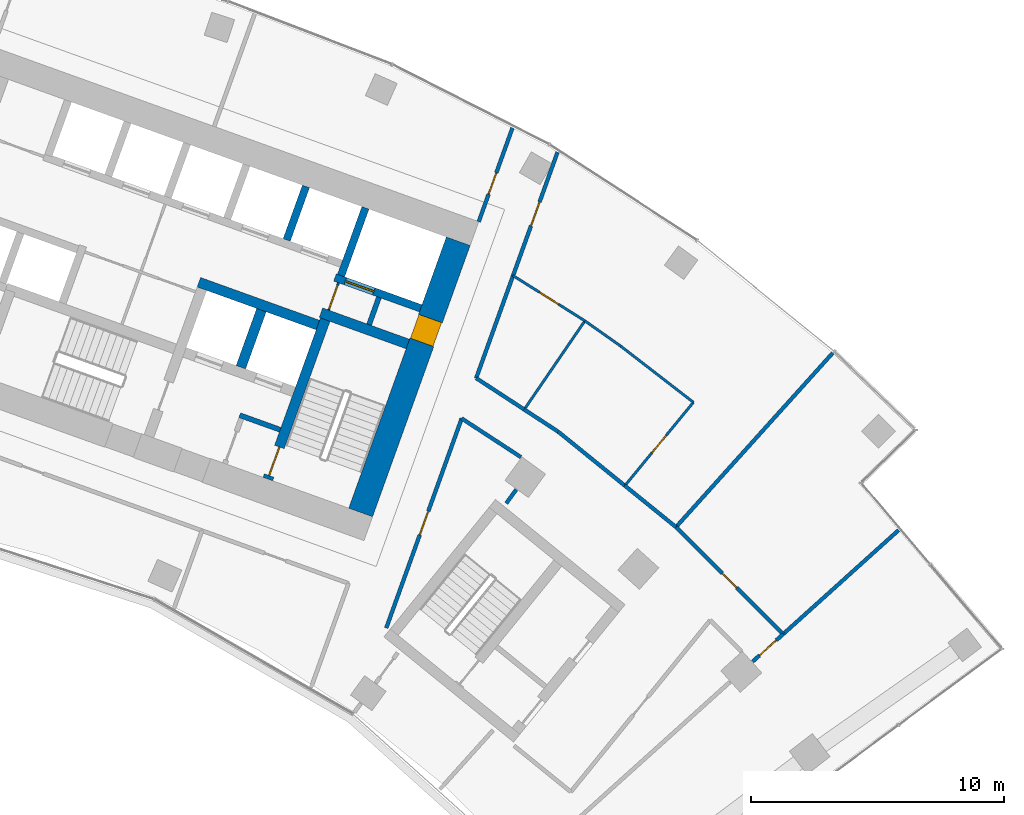
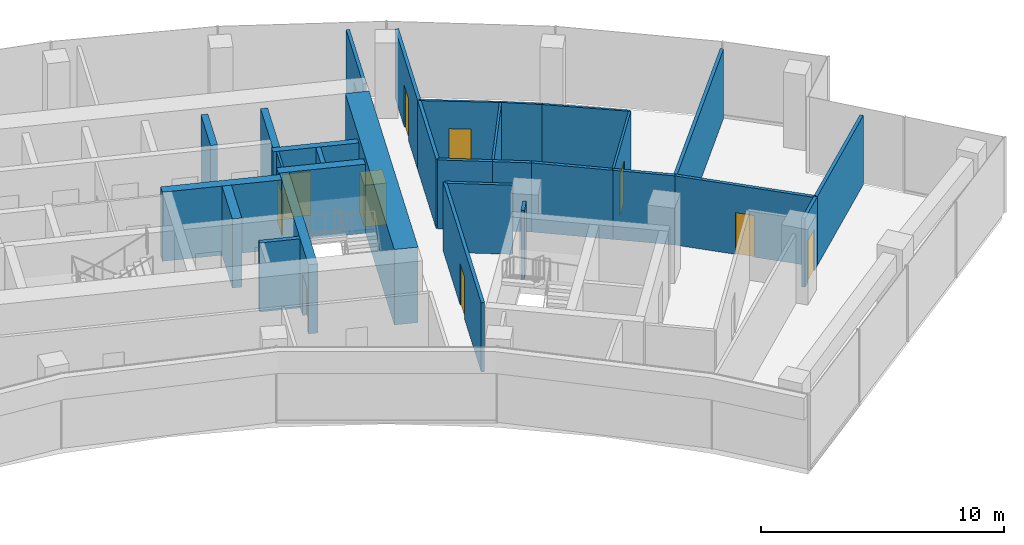
# One storey, part 15 of 17: 30 walls, 11 doors, 11 openings.
"""IFC4 building model written with IfcOpenShell, lengths in metres."""

from ifc_helpers import new_model, si_unit, direction, frame, frame_2d, origin, place, context, subcontext, project, spatial, rectangle, extrude, material, layer, layer_set, type_object, element, fill, save


model = new_model("IFC4")

# Units and contexts
model_context = context("Model", 3, precision=1e-05, world=origin(), true_north=direction((0.0, 1.0)))
body_context = subcontext(model_context, "Body", "Model", "MODEL_VIEW")
ifc_project = project(units=[si_unit("LENGTHUNIT", "METRE"), si_unit("AREAUNIT", "SQUARE_METRE"), si_unit("VOLUMEUNIT", "CUBIC_METRE"), si_unit("PLANEANGLEUNIT", "RADIAN"), si_unit("MASSUNIT", "GRAM", prefix="KILO")], contexts=[model_context])

# Site, building, storey
site_placement = place(None, origin())
site = spatial("IfcSite", under=ifc_project, at=site_placement, CompositionType="ELEMENT")
building_placement = place(site_placement, origin())
building = spatial("IfcBuilding", under=site, at=building_placement, Name="Stone Belt Terrace Tower", CompositionType="ELEMENT")
storey_placement = place(building_placement, frame((0.0, 0.0, 231.39990234375)))
storey = spatial("IfcBuildingStorey", under=building, at=storey_placement, Name="L56", CompositionType="ELEMENT", Elevation=231.39990234375)

# Wall, opening, door
ifc_material_1 = material(Name="Plasterboard partition")
ifc_layer_1 = layer(ifc_material_1, 0.10009765625)
ifc_layer_set_1 = layer_set([ifc_layer_1], Name="Core partition 100")
wall_type_1 = type_object("IfcWallType", Name="Core partition 100", PredefinedType="PARTITIONING", material=ifc_layer_set_1)
wall_1_placement = place(storey_placement, frame((24.555908203125, 51.10400390625, 0.0), z_axis=(0.0, 0.0, 1.0), x_axis=(0.338621735342, 0.94092258999, 0.0)))
wall_1 = element("IfcWall", 1, at=wall_1_placement, inside=storey, type_object=wall_type_1, Name="Core B wall", PredefinedType="PARTITIONING", context=body_context, shape_type="SweptSolid", body=[
    extrude(rectangle(XDim=1.14990234375, YDim=0.10009765625, at=frame_2d((0.574951171875, 0.0))), origin(), (0.0, 0.0, 1.0), 3.47998046875),
])
opening_1_placement = place(wall_1_placement, frame((0.050048828125, 0.0, 0.0)))
opening_1 = element("IfcOpeningElement", 2, at=opening_1_placement, cuts=wall_1, Name="Opening L56-C18", PredefinedType="OPENING", context=body_context, shape_type="SweptSolid", body=[
    extrude(rectangle(XDim=1.0, YDim=2.10009765625, at=frame_2d((0.5, 1.050048828125))), frame((0.0, 0.06005859375, 0.0), z_axis=(0.0, -1.0, 0.0), x_axis=(1.0, 0.0, 0.0)), (0.0, 0.0, 1.0), 0.1201171875),
])
ifc_material_2 = material(Name="Timber door leaf", Category="wood")
door_type_1 = type_object("IfcDoorType", Name="Core room door 1000", OperationType="SINGLE_SWING_LEFT", PredefinedType="DOOR", material=ifc_material_2)
door_1_placement = place(opening_1_placement, origin())
door_1 = element("IfcDoor", 3, at=door_1_placement, inside=storey, type_object=door_type_1, Name="Service lift lobby door core B", OperationType="SINGLE_SWING_LEFT", OverallHeight=2.10009765625, OverallWidth=1.0, PredefinedType="DOOR", context=body_context, shape_type="SweptSolid", body=[
    extrude(rectangle(XDim=1.0, YDim=2.10009765625, at=frame_2d((0.5, 1.050048828125))), frame((0.0, 0.02490234375, 0.0), z_axis=(0.0, -1.0, 0.0), x_axis=(1.0, 0.0, 0.0)), (0.0, 0.0, 1.0), 0.050048828125),
])
fill(opening_1, door_1)

ifc_material_3 = material(Name="Concrete B60", Category="concrete")
ifc_layer_2 = layer(ifc_material_3, 1.0)
ifc_layer_set_2 = layer_set([ifc_layer_2], Name="Core wall 1000 B60")
wall_type_2 = type_object("IfcWallType", Name="Core wall 1000 B60", PredefinedType="SHEAR", material=ifc_layer_set_2)
wall_2_placement = place(storey_placement, frame((25.821044921875, 43.102783203125, 0.0), z_axis=(0.0, 0.0, 1.0), x_axis=(0.338625431531, 0.940921259788, 0.0)))
wall_2 = element("IfcWall", 4, at=wall_2_placement, inside=storey, type_object=wall_type_2, Name="Core B wall end_b L56", PredefinedType="SHEAR", context=body_context, shape_type="SweptSolid", body=[
    extrude(rectangle(XDim=11.400146484375, YDim=1.0, at=frame_2d((5.7001953125, 0.0))), origin(), (0.0, 0.0, 1.0), 3.800048828125),
])
opening_2_placement = place(wall_2_placement, frame((7.14990234375, 0.0, 0.0)))
opening_2 = element("IfcOpeningElement", 5, at=opening_2_placement, cuts=wall_2, Name="Opening L56-C17", PredefinedType="OPENING", context=body_context, shape_type="SweptSolid", body=[
    extrude(rectangle(XDim=1.0, YDim=2.10009765625, at=frame_2d((0.5, 1.050048828125))), frame((0.0, 0.510009765625, 0.0), z_axis=(0.0, -1.0, 0.0), x_axis=(1.0, 0.0, 0.0)), (0.0, 0.0, 1.0), 1.02001953125),
])
door_2_placement = place(opening_2_placement, origin())
door_2 = element("IfcDoor", 6, at=door_2_placement, inside=storey, type_object=door_type_1, Name="Door to Telecommunications riser room core B", OperationType="SINGLE_SWING_RIGHT", OverallHeight=2.10009765625, OverallWidth=1.0, PredefinedType="DOOR", context=body_context, shape_type="SweptSolid", body=[
    extrude(rectangle(XDim=1.0, YDim=2.10009765625, at=frame_2d((0.5, 1.050048828125))), frame((0.0, 0.47998046875, 0.0), z_axis=(0.0, -1.0, 0.0), x_axis=(1.0, 0.0, 0.0)), (0.0, 0.0, 1.0), 0.949951171875),
])
fill(opening_2, door_2)

# Walls
ifc_material_4 = material(Name="Concrete B80", Category="concrete")
ifc_layer_3 = layer(ifc_material_4, 0.39990234375)
ifc_layer_set_3 = layer_set([ifc_layer_3], Name="Fire-fighting lift shaft wall 400")
wall_type_3 = type_object("IfcWallType", Name="Fire-fighting lift shaft wall 400", PredefinedType="SHEAR", material=ifc_layer_set_3)
wall_3_placement = place(storey_placement, frame((24.130615234375, 50.512939453125, 0.0), z_axis=(0.0, 0.0, 1.0), x_axis=(-0.94091168377, 0.338652038744, 0.0)))
element("IfcWall", 7, at=wall_3_placement, inside=storey, type_object=wall_type_3, Name="Core B wall", PredefinedType="SHEAR", context=body_context, shape_type="SweptSolid", body=[
    extrude(rectangle(XDim=5.000244140625, YDim=0.39990234375, at=frame_2d((2.5, 0.0))), origin(), (0.0, 0.0, 1.0), 3.47998046875),
])
wall_4_placement = place(storey_placement, frame((21.0859375, 48.845458984375, 0.0), z_axis=(0.0, 0.0, 1.0), x_axis=(0.338629416206, 0.940919825745, 0.0)))
element("IfcWall", 8, at=wall_4_placement, inside=storey, type_object=wall_type_3, Name="Core B wall", PredefinedType="SHEAR", context=body_context, shape_type="SweptSolid", body=[
    extrude(rectangle(XDim=2.400146484375, YDim=0.39990234375, at=frame_2d((1.2001953125, 0.0))), origin(), (0.0, 0.0, 1.0), 3.47998046875),
])

# Wall, opening, door
ifc_layer_4 = layer(ifc_material_4, 0.300048828125)
ifc_layer_set_4 = layer_set([ifc_layer_4], Name="Lift shaft wall 300")
wall_type_4 = type_object("IfcWallType", Name="Lift shaft wall 300", PredefinedType="SHEAR", material=ifc_layer_set_4)
wall_5_placement = place(storey_placement, frame((28.195068359375, 51.17578125, 0.0), z_axis=(0.0, 0.0, 1.0), x_axis=(-0.940901243567, 0.338681044427, 0.0)))
wall_5 = element("IfcWall", 9, at=wall_5_placement, inside=storey, type_object=wall_type_4, Name="Core B wall", PredefinedType="SHEAR", context=body_context, shape_type="SweptSolid", body=[
    extrude(rectangle(XDim=3.599853515625, YDim=0.300048828125, at=frame_2d((1.7998046875, 0.0))), origin(), (0.0, 0.0, 1.0), 3.47998046875),
])
opening_3_placement = place(wall_5_placement, frame((1.969970703125, 0.0, 0.0)))
opening_3 = element("IfcOpeningElement", 10, at=opening_3_placement, cuts=wall_5, Name="Opening L56-LD16", PredefinedType="OPENING", context=body_context, shape_type="SweptSolid", body=[
    extrude(rectangle(XDim=1.199951171875, YDim=2.199951171875, at=frame_2d((0.60009765625, 1.10009765625))), frame((0.0, 0.159912109375, 0.0), z_axis=(0.0, -1.0, 0.0), x_axis=(1.0, 0.0, 0.0)), (0.0, 0.0, 1.0), 0.320068359375),
])
ifc_material_5 = material(Name="Stainless steel door leaf", Category="steel")
door_type_2 = type_object("IfcDoorType", Name="Landing door 1200", OperationType="SLIDING_TO_LEFT", PredefinedType="DOOR", material=ifc_material_5)
door_3_placement = place(opening_3_placement, origin())
door_3 = element("IfcDoor", 11, at=door_3_placement, inside=storey, type_object=door_type_2, Name="Landing door SV1 core B", OperationType="SLIDING_TO_LEFT", OverallHeight=2.199951171875, OverallWidth=1.199951171875, PredefinedType="DOOR", context=body_context, shape_type="SweptSolid", body=[
    extrude(rectangle(XDim=1.199951171875, YDim=2.199951171875, at=frame_2d((0.60009765625, 1.10009765625))), frame((0.0, 0.02490234375, 0.0), z_axis=(0.0, -1.0, 0.0), x_axis=(1.0, 0.0, 0.0)), (0.0, 0.0, 1.0), 0.050048828125),
])
fill(opening_3, door_3)

# Walls
wall_6_placement = place(storey_placement, frame((25.046875, 52.46826171875, 0.0), z_axis=(0.0, 0.0, 1.0), x_axis=(0.338549588058, 0.940948551423, 0.0)))
element("IfcWall", 12, at=wall_6_placement, inside=storey, type_object=wall_type_4, Name="Core B wall", PredefinedType="SHEAR", context=body_context, shape_type="SweptSolid", body=[
    extrude(rectangle(XDim=2.849853515625, YDim=0.300048828125, at=frame_2d((1.4248046875, 0.0))), origin(), (0.0, 0.0, 1.0), 3.47998046875),
])
wall_7_placement = place(storey_placement, frame((22.897705078125, 53.87939453125, 0.0), z_axis=(0.0, 0.0, 1.0), x_axis=(0.338535034312, 0.940953787677, 0.0)))
element("IfcWall", 13, at=wall_7_placement, inside=storey, type_object=wall_type_4, Name="Core B wall", PredefinedType="SHEAR", context=body_context, shape_type="SweptSolid", body=[
    extrude(rectangle(XDim=2.25, YDim=0.300048828125, at=frame_2d((1.125, 0.0))), origin(), (0.0, 0.0, 1.0), 3.47998046875),
])

# Wall, opening, door
ifc_material_6 = material(Name="Gypsum board partition")
ifc_layer_5 = layer(ifc_material_6, 0.10009765625)
ifc_layer_set_5 = layer_set([ifc_layer_5], Name="PARTITION 100")
wall_type_5 = type_object("IfcWallType", Name="PARTITION 100", PredefinedType="PARTITIONING", material=ifc_layer_set_5)
wall_8_placement = place(storey_placement, frame((34.68896484375, 50.679931640625, 0.0), z_axis=(0.0, 0.0, 1.0), x_axis=(-0.846227980526, 0.532820987738, 0.0)))
wall_8 = element("IfcWall", 14, at=wall_8_placement, inside=storey, type_object=wall_type_5, Name="L56/wall/i060", PredefinedType="PARTITIONING", context=body_context, shape_type="SweptSolid", body=[
    extrude(rectangle(XDim=3.35595703125, YDim=0.10009765625, at=frame_2d((1.677978515625, 0.0))), origin(), (0.0, 0.0, 1.0), 3.47998046875),
])
opening_4_placement = place(wall_8_placement, frame((1.22802734375, 0.0, 0.0)))
opening_4 = element("IfcOpeningElement", 15, at=opening_4_placement, cuts=wall_8, Name="Opening D-D4-20", PredefinedType="OPENING", context=body_context, shape_type="SweptSolid", body=[
    extrude(rectangle(XDim=0.89990234375, YDim=2.10009765625, at=frame_2d((0.449951171875, 1.050048828125))), frame((0.0, 0.06005859375, 0.0), z_axis=(0.0, -1.0, 0.0), x_axis=(1.0, 0.0, 0.0)), (0.0, 0.0, 1.0), 0.1201171875),
])
door_type_3 = type_object("IfcDoorType", Name="OFFICE DOOR 900 X 2100", OperationType="NOTDEFINED", PredefinedType="DOOR", material=ifc_material_2)
door_4_placement = place(opening_4_placement, origin())
door_4 = element("IfcDoor", 16, at=door_4_placement, inside=storey, type_object=door_type_3, Name="L56/door/i20", OperationType="SINGLE_SWING_RIGHT", OverallHeight=2.10009765625, OverallWidth=0.89990234375, PredefinedType="DOOR", context=body_context, shape_type="SweptSolid", body=[
    extrude(rectangle(XDim=0.89990234375, YDim=2.10009765625, at=frame_2d((0.449951171875, 1.050048828125))), frame((0.0, 0.02490234375, 0.0), z_axis=(0.0, -1.0, 0.0), x_axis=(1.0, 0.0, 0.0)), (0.0, 0.0, 1.0), 0.050048828125),
])
fill(opening_4, door_4)

wall_9_placement = place(storey_placement, frame((36.27099609375, 44.162109375, 0.0), z_axis=(0.0, 0.0, 1.0), x_axis=(0.634607645359, 0.772834481925, 0.0)))
wall_9 = element("IfcWall", 17, at=wall_9_placement, inside=storey, type_object=wall_type_5, Name="L56/wall/i061", PredefinedType="PARTITIONING", context=body_context, shape_type="SweptSolid", body=[
    extrude(rectangle(XDim=4.267333984375, YDim=0.10009765625, at=frame_2d((2.1337890625, 0.0))), origin(), (0.0, 0.0, 1.0), 3.47998046875),
])
opening_5_placement = place(wall_9_placement, frame((1.68359375, 0.0, 0.0)))
opening_5 = element("IfcOpeningElement", 18, at=opening_5_placement, cuts=wall_9, Name="Opening D-D4-21", PredefinedType="OPENING", context=body_context, shape_type="SweptSolid", body=[
    extrude(rectangle(XDim=0.89990234375, YDim=2.10009765625, at=frame_2d((0.449951171875, 1.050048828125))), frame((0.0, 0.06005859375, 0.0), z_axis=(0.0, -1.0, 0.0), x_axis=(1.0, 0.0, 0.0)), (0.0, 0.0, 1.0), 0.1201171875),
])
door_5_placement = place(opening_5_placement, origin())
door_5 = element("IfcDoor", 19, at=door_5_placement, inside=storey, type_object=door_type_3, Name="L56/door/i21", OperationType="SINGLE_SWING_RIGHT", OverallHeight=2.10009765625, OverallWidth=0.89990234375, PredefinedType="DOOR", context=body_context, shape_type="SweptSolid", body=[
    extrude(rectangle(XDim=0.89990234375, YDim=2.10009765625, at=frame_2d((0.449951171875, 1.050048828125))), frame((0.0, 0.02490234375, 0.0), z_axis=(0.0, -1.0, 0.0), x_axis=(1.0, 0.0, 0.0)), (0.0, 0.0, 1.0), 0.050048828125),
])
fill(opening_5, door_5)

# Walls
wall_10_placement = place(storey_placement, frame((38.97900390625, 47.4599609375, 0.0), z_axis=(0.0, 0.0, 1.0), x_axis=(-0.791190586797, 0.611569665176, 0.0)))
element("IfcWall", 20, at=wall_10_placement, inside=storey, type_object=wall_type_5, Name="L56/wall/i062", PredefinedType="PARTITIONING", context=body_context, shape_type="SweptSolid", body=[
    extrude(rectangle(XDim=3.639892578125, YDim=0.10009765625, at=frame_2d((1.81982421875, 0.0))), origin(), (0.0, 0.0, 1.0), 3.47998046875),
])
wall_11_placement = place(storey_placement, frame((36.09912109375, 49.68603515625, 0.0), z_axis=(0.0, 0.0, 1.0), x_axis=(-0.817379448186, 0.576099676864, 0.0)))
element("IfcWall", 21, at=wall_11_placement, inside=storey, type_object=wall_type_5, Name="L56/wall/i063", PredefinedType="PARTITIONING", context=body_context, shape_type="SweptSolid", body=[
    extrude(rectangle(XDim=1.72509765625, YDim=0.10009765625, at=frame_2d((0.862548828125, 0.0))), origin(), (0.0, 0.0, 1.0), 3.47998046875),
])
wall_12_placement = place(storey_placement, frame((34.68896484375, 50.679931640625, 0.0), z_axis=(0.0, 0.0, 1.0), x_axis=(-0.564819912934, -0.825214193984, 0.0)))
element("IfcWall", 22, at=wall_12_placement, inside=storey, type_object=wall_type_5, Name="L56/wall/i065", PredefinedType="PARTITIONING", context=body_context, shape_type="SweptSolid", body=[
    extrude(rectangle(XDim=4.247314453125, YDim=0.10009765625, at=frame_2d((2.12353515625, 0.0))), origin(), (0.0, 0.0, 1.0), 3.47998046875),
])

# Wall, opening, door
ifc_layer_6 = layer(ifc_material_6, 0.14990234375)
ifc_layer_set_6 = layer_set([ifc_layer_6], Name="PARTITION 150 EI 60")
wall_type_6 = type_object("IfcWallType", Name="PARTITION 150 EI 60", PredefinedType="PARTITIONING", material=ifc_layer_set_6)
wall_13_placement = place(storey_placement, frame((30.490966796875, 54.60107421875, 0.0), z_axis=(0.0, 0.0, 1.0), x_axis=(0.338542007836, 0.940951278723, 0.0)))
wall_13 = element("IfcWall", 23, at=wall_13_placement, inside=storey, type_object=wall_type_6, Name="L56/wall/i022", PredefinedType="PARTITIONING", context=body_context, shape_type="SweptSolid", body=[
    extrude(rectangle(XDim=3.946044921875, YDim=0.14990234375, at=frame_2d((1.97314453125, 0.0))), origin(), (0.0, 0.0, 1.0), 3.47998046875),
])
opening_6_placement = place(wall_13_placement, frame((1.15625, 0.0, 0.0)))
opening_6 = element("IfcOpeningElement", 24, at=opening_6_placement, cuts=wall_13, Name="Opening D-D4-08", PredefinedType="OPENING", context=body_context, shape_type="SweptSolid", body=[
    extrude(rectangle(XDim=0.89990234375, YDim=2.10009765625, at=frame_2d((0.449951171875, 1.050048828125))), frame((0.0, 0.0849609375, 0.0), z_axis=(0.0, -1.0, 0.0), x_axis=(1.0, 0.0, 0.0)), (0.0, 0.0, 1.0), 0.169921875),
])
door_6_placement = place(opening_6_placement, origin())
door_6 = element("IfcDoor", 25, at=door_6_placement, inside=storey, type_object=door_type_3, Name="L56/door/i08", OperationType="SINGLE_SWING_LEFT", OverallHeight=2.10009765625, OverallWidth=0.89990234375, PredefinedType="DOOR", context=body_context, shape_type="SweptSolid", body=[
    extrude(rectangle(XDim=0.89990234375, YDim=2.10009765625, at=frame_2d((0.449951171875, 1.050048828125))), frame((0.0, 0.02490234375, 0.0), z_axis=(0.0, -1.0, 0.0), x_axis=(1.0, 0.0, 0.0)), (0.0, 0.0, 1.0), 0.050048828125),
])
fill(opening_6, door_6)

wall_14_placement = place(storey_placement, frame((29.819091796875, 46.826904296875, 0.0), z_axis=(0.0, 0.0, 1.0), x_axis=(-0.338620385032, -0.940923075942, 0.0)))
wall_14 = element("IfcWall", 26, at=wall_14_placement, inside=storey, type_object=wall_type_6, Name="L56/wall/i023", PredefinedType="PARTITIONING", context=body_context, shape_type="SweptSolid", body=[
    extrude(rectangle(XDim=8.8125, YDim=0.14990234375, at=frame_2d((4.40625, 0.0))), origin(), (0.0, 0.0, 1.0), 3.47998046875),
])
opening_7_placement = place(wall_14_placement, frame((3.90625, 0.0, 0.0)))
opening_7 = element("IfcOpeningElement", 27, at=opening_7_placement, cuts=wall_14, Name="Opening D-D4-16", PredefinedType="OPENING", context=body_context, shape_type="SweptSolid", body=[
    extrude(rectangle(XDim=1.0, YDim=2.10009765625, at=frame_2d((0.5, 1.050048828125))), frame((0.0, 0.0849609375, 0.0), z_axis=(0.0, -1.0, 0.0), x_axis=(1.0, 0.0, 0.0)), (0.0, 0.0, 1.0), 0.169921875),
])
ifc_material_7 = material(Name="Timber fire door leaf", Category="wood")
door_type_4 = type_object("IfcDoorType", Name="TENANCY ENTRANCE DOOR 1000 X 2100", OperationType="NOTDEFINED", PredefinedType="DOOR", material=ifc_material_7)
door_7_placement = place(opening_7_placement, origin())
door_7 = element("IfcDoor", 28, at=door_7_placement, inside=storey, type_object=door_type_4, Name="L56/door/i16", OperationType="SINGLE_SWING_RIGHT", OverallHeight=2.10009765625, OverallWidth=1.0, PredefinedType="DOOR", context=body_context, shape_type="SweptSolid", body=[
    extrude(rectangle(XDim=1.0, YDim=2.10009765625, at=frame_2d((0.5, 1.050048828125))), frame((0.0, 0.02490234375, 0.0), z_axis=(0.0, -1.0, 0.0), x_axis=(1.0, 0.0, 0.0)), (0.0, 0.0, 1.0), 0.050048828125),
])
fill(opening_7, door_7)

wall_15_placement = place(storey_placement, frame((33.60791015625, 57.35400390625, 0.0), z_axis=(0.0, 0.0, 1.0), x_axis=(-0.338691201609, -0.940897587388, 0.0)))
wall_15 = element("IfcWall", 29, at=wall_15_placement, inside=storey, type_object=wall_type_6, Name="L56/wall/i026", PredefinedType="PARTITIONING", context=body_context, shape_type="SweptSolid", body=[
    extrude(rectangle(XDim=5.199462890625, YDim=0.14990234375, at=frame_2d((2.599609375, 0.0))), origin(), (0.0, 0.0, 1.0), 3.47998046875),
])
opening_8_placement = place(wall_15_placement, frame((2.099609375, 0.0, 0.0)))
opening_8 = element("IfcOpeningElement", 30, at=opening_8_placement, cuts=wall_15, Name="Opening D-D4-19", PredefinedType="OPENING", context=body_context, shape_type="SweptSolid", body=[
    extrude(rectangle(XDim=1.0, YDim=2.10009765625, at=frame_2d((0.5, 1.050048828125))), frame((0.0, 0.0849609375, 0.0), z_axis=(0.0, -1.0, 0.0), x_axis=(1.0, 0.0, 0.0)), (0.0, 0.0, 1.0), 0.169921875),
])
door_8_placement = place(opening_8_placement, origin())
door_8 = element("IfcDoor", 31, at=door_8_placement, inside=storey, type_object=door_type_4, Name="L56/door/i19", OperationType="SINGLE_SWING_RIGHT", OverallHeight=2.10009765625, OverallWidth=1.0, PredefinedType="DOOR", context=body_context, shape_type="SweptSolid", body=[
    extrude(rectangle(XDim=1.0, YDim=2.10009765625, at=frame_2d((0.5, 1.050048828125))), frame((0.0, 0.02490234375, 0.0), z_axis=(0.0, -1.0, 0.0), x_axis=(1.0, 0.0, 0.0)), (0.0, 0.0, 1.0), 0.050048828125),
])
fill(opening_8, door_8)

# Wall
wall_16_placement = place(storey_placement, frame((31.85107421875, 52.47412109375, 0.0), z_axis=(0.0, 0.0, 1.0), x_axis=(-0.3385233076, -0.940958006614, 0.0)))
element("IfcWall", 32, at=wall_16_placement, inside=storey, type_object=wall_type_6, Name="L56/wall/i027", PredefinedType="PARTITIONING", context=body_context, shape_type="SweptSolid", body=[
    extrude(rectangle(XDim=4.3193359375, YDim=0.14990234375, at=frame_2d((2.15966796875, 0.0))), origin(), (0.0, 0.0, 1.0), 3.47998046875),
])

# Wall, opening, door
wall_17_placement = place(storey_placement, frame((42.531005859375, 38.2939453125, 0.0), z_axis=(0.0, 0.0, 1.0), x_axis=(-0.743450987947, -0.668790421972, 0.0)))
wall_17 = element("IfcWall", 33, at=wall_17_placement, inside=storey, type_object=wall_type_6, Name="L56/wall/i046", PredefinedType="PARTITIONING", context=body_context, shape_type="SweptSolid", body=[
    extrude(rectangle(XDim=1.625244140625, YDim=0.14990234375, at=frame_2d((0.8125, 0.0))), origin(), (0.0, 0.0, 1.0), 3.47998046875),
])
opening_9_placement = place(wall_17_placement, frame((0.36279296875, 0.0, 0.0)))
opening_9 = element("IfcOpeningElement", 34, at=opening_9_placement, cuts=wall_17, Name="Opening D-D4-15", PredefinedType="OPENING", context=body_context, shape_type="SweptSolid", body=[
    extrude(rectangle(XDim=0.89990234375, YDim=2.10009765625, at=frame_2d((0.449951171875, 1.050048828125))), frame((0.0, 0.0849609375, 0.0), z_axis=(0.0, -1.0, 0.0), x_axis=(1.0, 0.0, 0.0)), (0.0, 0.0, 1.0), 0.169921875),
])
door_9_placement = place(opening_9_placement, origin())
door_9 = element("IfcDoor", 35, at=door_9_placement, inside=storey, type_object=door_type_3, Name="L56/door/i15", OperationType="SINGLE_SWING_RIGHT", OverallHeight=2.10009765625, OverallWidth=0.89990234375, PredefinedType="DOOR", context=body_context, shape_type="SweptSolid", body=[
    extrude(rectangle(XDim=0.89990234375, YDim=2.10009765625, at=frame_2d((0.449951171875, 1.050048828125))), frame((0.0, 0.02490234375, 0.0), z_axis=(0.0, -1.0, 0.0), x_axis=(1.0, 0.0, 0.0)), (0.0, 0.0, 1.0), 0.050048828125),
])
fill(opening_9, door_9)

# Walls
wall_18_placement = place(storey_placement, frame((42.52197265625, 38.287109375, 0.0), z_axis=(0.0, 0.0, 1.0), x_axis=(0.743181838168, 0.669089497315, 0.0)))
element("IfcWall", 36, at=wall_18_placement, inside=storey, type_object=wall_type_6, Name="L56/wall/i048", PredefinedType="PARTITIONING", context=body_context, shape_type="SweptSolid", body=[
    extrude(rectangle(XDim=6.161865234375, YDim=0.14990234375, at=frame_2d((3.0810546875, 0.0))), origin(), (0.0, 0.0, 1.0), 3.47998046875),
])
wall_19_placement = place(storey_placement, frame((31.580078125, 43.466064453125, 0.0), z_axis=(0.0, 0.0, 1.0), x_axis=(0.587823865289, 0.808988938983, 0.0)))
element("IfcWall", 37, at=wall_19_placement, inside=storey, type_object=wall_type_6, Name="L56/wall/i049", PredefinedType="PARTITIONING", context=body_context, shape_type="SweptSolid", body=[
    extrude(rectangle(XDim=0.66796875, YDim=0.14990234375, at=frame_2d((0.333984375, 0.0))), origin(), (0.0, 0.0, 1.0), 3.47998046875),
])
wall_20_placement = place(storey_placement, frame((32.15869140625, 45.2919921875, 0.0), z_axis=(0.0, 0.0, 1.0), x_axis=(-0.837346388284, 0.546672686374, 0.0)))
element("IfcWall", 38, at=wall_20_placement, inside=storey, type_object=wall_type_6, Name="L56/wall/i050", PredefinedType="PARTITIONING", context=body_context, shape_type="SweptSolid", body=[
    extrude(rectangle(XDim=2.795166015625, YDim=0.14990234375, at=frame_2d((1.3974609375, 0.0))), origin(), (0.0, 0.0, 1.0), 3.47998046875),
])
wall_21_placement = place(storey_placement, frame((36.26611328125, 44.166015625, 0.0), z_axis=(0.0, 0.0, 1.0), x_axis=(0.777150988043, -0.629314183683, 0.0)))
element("IfcWall", 39, at=wall_21_placement, inside=storey, type_object=wall_type_6, Name="L56/wall/i052", PredefinedType="PARTITIONING", context=body_context, shape_type="SweptSolid", body=[
    extrude(rectangle(XDim=2.604248046875, YDim=0.14990234375, at=frame_2d((1.30224609375, 0.0))), origin(), (0.0, 0.0, 1.0), 3.47998046875),
])
wall_22_placement = place(storey_placement, frame((30.39111328125, 48.4150390625, 0.0), z_axis=(0.0, 0.0, 1.0), x_axis=(0.837347746965, -0.546670605258, 0.0)))
element("IfcWall", 40, at=wall_22_placement, inside=storey, type_object=wall_type_6, Name="L56/wall/i053", PredefinedType="PARTITIONING", context=body_context, shape_type="SweptSolid", body=[
    extrude(rectangle(XDim=2.273681640625, YDim=0.14990234375, at=frame_2d((1.13671875, 0.0))), origin(), (0.0, 0.0, 1.0), 3.47998046875),
])
wall_23_placement = place(storey_placement, frame((32.284912109375, 47.177978515625, 0.0), z_axis=(0.0, 0.0, 1.0), x_axis=(0.837342595349, -0.546678496024, 0.0)))
element("IfcWall", 41, at=wall_23_placement, inside=storey, type_object=wall_type_6, Name="L56/wall/i054", PredefinedType="PARTITIONING", context=body_context, shape_type="SweptSolid", body=[
    extrude(rectangle(XDim=1.613525390625, YDim=0.14990234375, at=frame_2d((0.806640625, 0.0))), origin(), (0.0, 0.0, 1.0), 3.47998046875),
])
wall_24_placement = place(storey_placement, frame((33.635986328125, 46.2958984375, 0.0), z_axis=(0.0, 0.0, 1.0), x_axis=(0.777003753109, -0.629495963176, 0.0)))
element("IfcWall", 42, at=wall_24_placement, inside=storey, type_object=wall_type_6, Name="L56/wall/i055", PredefinedType="PARTITIONING", context=body_context, shape_type="SweptSolid", body=[
    extrude(rectangle(XDim=3.396240234375, YDim=0.14990234375, at=frame_2d((1.6982421875, 0.0))), origin(), (0.0, 0.0, 1.0), 3.47998046875),
])

# Wall, opening, door
wall_25_placement = place(storey_placement, frame((38.291015625, 42.52587890625, 0.0), z_axis=(0.0, 0.0, 1.0), x_axis=(0.707106781187, -0.707106781187, 0.0)))
wall_25 = element("IfcWall", 43, at=wall_25_placement, inside=storey, type_object=wall_type_6, Name="L56/wall/i056", PredefinedType="PARTITIONING", context=body_context, shape_type="SweptSolid", body=[
    extrude(rectangle(XDim=5.989013671875, YDim=0.14990234375, at=frame_2d((2.99462890625, 0.0))), origin(), (0.0, 0.0, 1.0), 3.47998046875),
])
opening_10_placement = place(wall_25_placement, frame((2.594482421875, 0.0, 0.0)))
opening_10 = element("IfcOpeningElement", 44, at=opening_10_placement, cuts=wall_25, Name="Opening D-D4-22", PredefinedType="OPENING", context=body_context, shape_type="SweptSolid", body=[
    extrude(rectangle(XDim=0.800048828125, YDim=2.10009765625, at=frame_2d((0.39990234375, 1.050048828125))), frame((0.0, 0.0849609375, 0.0), z_axis=(0.0, -1.0, 0.0), x_axis=(1.0, 0.0, 0.0)), (0.0, 0.0, 1.0), 0.169921875),
])
door_type_5 = type_object("IfcDoorType", Name="STORE DOOR 800 X 2100", OperationType="NOTDEFINED", PredefinedType="DOOR", material=ifc_material_2)
door_10_placement = place(opening_10_placement, origin())
door_10 = element("IfcDoor", 45, at=door_10_placement, inside=storey, type_object=door_type_5, Name="L56/door/i22", OperationType="SINGLE_SWING_RIGHT", OverallHeight=2.10009765625, OverallWidth=0.800048828125, PredefinedType="DOOR", context=body_context, shape_type="SweptSolid", body=[
    extrude(rectangle(XDim=0.800048828125, YDim=2.10009765625, at=frame_2d((0.39990234375, 1.050048828125))), frame((0.0, 0.02490234375, 0.0), z_axis=(0.0, -1.0, 0.0), x_axis=(1.0, 0.0, 0.0)), (0.0, 0.0, 1.0), 0.050048828125),
])
fill(opening_10, door_10)

# Walls
wall_26_placement = place(storey_placement, frame((44.496826171875, 49.41943359375, 0.0), z_axis=(0.0, 0.0, 1.0), x_axis=(-0.669060704206, -0.743207759706, 0.0)))
element("IfcWall", 46, at=wall_26_placement, inside=storey, type_object=wall_type_6, Name="L56/wall/i064", PredefinedType="PARTITIONING", context=body_context, shape_type="SweptSolid", body=[
    extrude(rectangle(XDim=9.275390625, YDim=0.14990234375, at=frame_2d((4.6376953125, 0.0))), origin(), (0.0, 0.0, 1.0), 3.47998046875),
])
ifc_material_8 = material(Name="Concrete masonry block", Category="masonry")
ifc_layer_7 = layer(ifc_material_8, 0.199951171875)
ifc_layer_set_7 = layer_set([ifc_layer_7], Name="Rated lobby wall 200")
wall_type_7 = type_object("IfcWallType", Name="Rated lobby wall 200", PredefinedType="PARTITIONING", material=ifc_layer_set_7)
wall_27_placement = place(storey_placement, frame((26.1552734375, 50.5283203125, 0.0), z_axis=(0.0, 0.0, 1.0), x_axis=(0.338621735342, 0.94092258999, 0.0)))
element("IfcWall", 47, at=wall_27_placement, inside=storey, type_object=wall_type_7, Name="Core B wall", PredefinedType="PARTITIONING", context=body_context, shape_type="SweptSolid", body=[
    extrude(rectangle(XDim=1.14990234375, YDim=0.199951171875, at=frame_2d((0.574951171875, 0.0))), origin(), (0.0, 0.0, 1.0), 3.47998046875),
])
wall_28_placement = place(storey_placement, frame((22.640625, 46.373046875, 0.0), z_axis=(0.0, 0.0, 1.0), x_axis=(-0.940966110313, 0.338500781747, 0.0)))
element("IfcWall", 48, at=wall_28_placement, inside=storey, type_object=wall_type_7, Name="Core B wall", PredefinedType="PARTITIONING", context=body_context, shape_type="SweptSolid", body=[
    extrude(rectangle(XDim=1.699951171875, YDim=0.199951171875, at=frame_2d((0.85009765625, 0.0))), origin(), (0.0, 0.0, 1.0), 3.47998046875),
])
ifc_layer_8 = layer(ifc_material_4, 0.39990234375)
ifc_layer_set_8 = layer_set([ifc_layer_8], Name="Stair enclosure wall 400")
wall_type_8 = type_object("IfcWallType", Name="Stair enclosure wall 400", PredefinedType="SHEAR", material=ifc_layer_set_8)
wall_29_placement = place(storey_placement, frame((27.687255859375, 49.764404296875, 0.0), z_axis=(0.0, 0.0, 1.0), x_axis=(-0.940918954884, 0.338631835981, 0.0)))
element("IfcWall", 49, at=wall_29_placement, inside=storey, type_object=wall_type_8, Name="Core B wall", PredefinedType="SHEAR", context=body_context, shape_type="SweptSolid", body=[
    extrude(rectangle(XDim=3.650146484375, YDim=0.39990234375, at=frame_2d((1.8251953125, 0.0))), origin(), (0.0, 0.0, 1.0), 3.47998046875),
])

# Wall, opening, door
wall_30_placement = place(storey_placement, frame((22.151611328125, 44.42333984375, 0.0), z_axis=(0.0, 0.0, 1.0), x_axis=(0.338625272931, 0.940921316866, 0.0)))
wall_30 = element("IfcWall", 50, at=wall_30_placement, inside=storey, type_object=wall_type_8, Name="Core B wall", PredefinedType="SHEAR", context=body_context, shape_type="SweptSolid", body=[
    extrude(rectangle(XDim=6.699951171875, YDim=0.39990234375, at=frame_2d((3.35009765625, 0.0))), origin(), (0.0, 0.0, 1.0), 3.47998046875),
])
opening_11_placement = place(wall_30_placement, frame((0.14990234375, 0.0, 0.0)))
opening_11 = element("IfcOpeningElement", 51, at=opening_11_placement, cuts=wall_30, Name="Opening L56-C21", PredefinedType="OPENING", context=body_context, shape_type="SweptSolid", body=[
    extrude(rectangle(XDim=1.199951171875, YDim=2.10009765625, at=frame_2d((0.60009765625, 1.050048828125))), frame((0.0, 0.2099609375, 0.0), z_axis=(0.0, -1.0, 0.0), x_axis=(1.0, 0.0, 0.0)), (0.0, 0.0, 1.0), 0.419921875),
])
ifc_material_9 = material(Name="Steel door leaf", Category="steel")
door_type_6 = type_object("IfcDoorType", Name="Stair door 1200", OperationType="SINGLE_SWING_LEFT", PredefinedType="DOOR", material=ifc_material_9)
door_11_placement = place(opening_11_placement, origin())
door_11 = element("IfcDoor", 52, at=door_11_placement, inside=storey, type_object=door_type_6, Name="Stair 1 door core B", OperationType="SINGLE_SWING_LEFT", OverallHeight=2.10009765625, OverallWidth=1.199951171875, PredefinedType="DOOR", context=body_context, shape_type="SweptSolid", body=[
    extrude(rectangle(XDim=1.199951171875, YDim=2.10009765625, at=frame_2d((0.60009765625, 1.050048828125))), frame((0.0, 0.02490234375, 0.0), z_axis=(0.0, -1.0, 0.0), x_axis=(1.0, 0.0, 0.0)), (0.0, 0.0, 1.0), 0.050048828125),
])
fill(opening_11, door_11)

save(model, "model.ifc")
